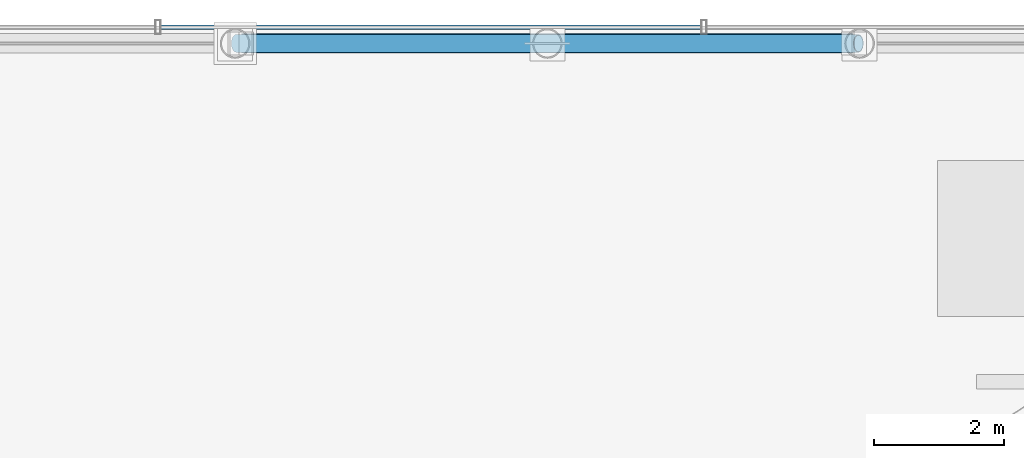
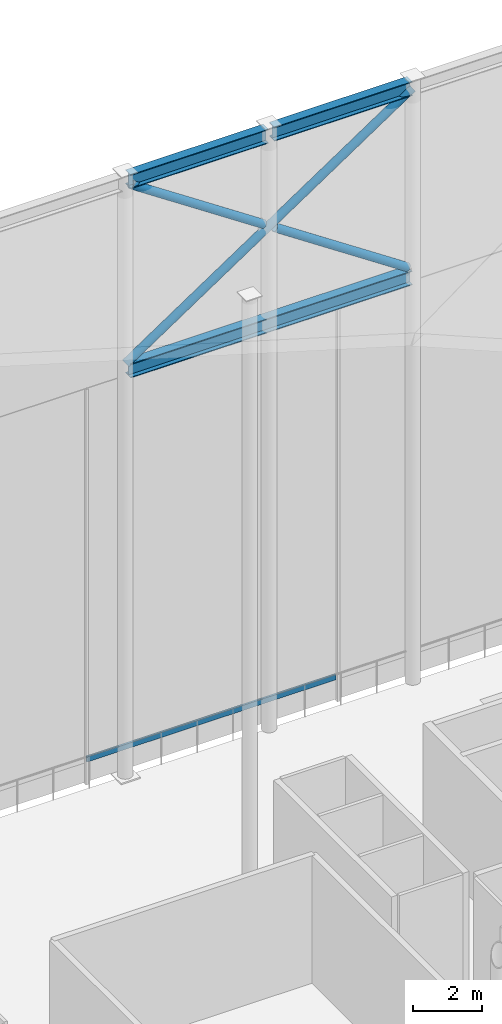
# One storey, part 31 of 42: 4 members, 3 beams, 1 element without a shape of its own.
"""IFC4 building model written with IfcOpenShell, lengths in metres."""

from ifc_helpers import new_model, si_unit, direction, frame, origin, origin_2d, place, context, subcontext, project, spatial, hollow_rectangle, hollow_circle, i_section, extrude, material, layer, layer_set, material_profile, profile_set, type_object, element, aggregate, save


model = new_model("IFC4")

# Units and contexts
model_context = context("Model", 3, precision=1e-05, world=origin(), true_north=direction((0.0, 1.0)))
body_context = subcontext(model_context, "Body", "Model", "MODEL_VIEW")
ifc_project = project(units=[si_unit("LENGTHUNIT", "METRE"), si_unit("AREAUNIT", "SQUARE_METRE"), si_unit("VOLUMEUNIT", "CUBIC_METRE"), si_unit("PLANEANGLEUNIT", "RADIAN"), si_unit("MASSUNIT", "GRAM", prefix="KILO")], contexts=[model_context])

# Site, building, storey
site_placement = place(None, origin())
site = spatial("IfcSite", under=ifc_project, at=site_placement, CompositionType="ELEMENT")
building_placement = place(site_placement, origin())
building = spatial("IfcBuilding", under=site, at=building_placement, Name="Kallvorn Hotel Tower", CompositionType="ELEMENT")
storey_placement = place(building_placement, frame((0.0, 0.0, 306.0)))
storey = spatial("IfcBuildingStorey", under=building, at=storey_placement, Name="ROOF", CompositionType="ELEMENT", Elevation=306.0)

# Beams
ifc_material_1 = material(Name="Structural steel S355JR", Category="steel")
ifc_material_profile_1 = material_profile(ifc_material_1, i_section(OverallWidth=0.300048828125, OverallDepth=0.5, WebThickness=0.014404296875, FlangeThickness=0.028076171875, at=origin_2d()), Name="HE 500 B")
ifc_profile_set_1 = profile_set([ifc_material_profile_1], Name="Structural steel S355JR")
beam_type = type_object("IfcBeamType", Name="BM_HE500B", PredefinedType="SPANDREL", material=ifc_profile_set_1)
for number, where, z_axis, x_axis, name in (
    (1, (4.89990234375, 14.39990234375, 21.030029296875), (1.0, 0.0, 0.0), (0.0, 1.0, 0.0), "CROWN FRAME Top Ring Beam 16"),
    (2, (9.699951171875, 14.39990234375, 21.030029296875), (1.0, 0.0, 0.0), (0.0, 1.0, 0.0), "CROWN FRAME Top Ring Beam 17"),
):
    element("IfcBeam", number, at=place(storey_placement, frame(where, z_axis=z_axis, x_axis=x_axis)), inside=storey, type_object=beam_type, Name=name, PredefinedType="SPANDREL", context=body_context, shape_type="SweptSolid", body=[
        extrude(i_section(OverallWidth=0.300048828125, OverallDepth=0.5, WebThickness=0.014404296875, FlangeThickness=0.028076171875, at=origin_2d()), origin(), (0.0, 0.0, 1.0), 4.60009765625),
    ])
beam_placement = place(storey_placement, frame((4.89990234375, 14.39990234375, 14.35009765625), z_axis=(1.0, 0.0, 0.0), x_axis=(0.0, 1.0, 0.0)))
element("IfcBeam", 3, at=beam_placement, inside=storey, type_object=beam_type, Name="CROWN FRAME Louvre Sill Tie Beam CN2", PredefinedType="SPANDREL", context=body_context, shape_type="SweptSolid", body=[
    extrude(i_section(OverallWidth=0.300048828125, OverallDepth=0.5, WebThickness=0.014404296875, FlangeThickness=0.028076171875, at=origin_2d()), origin(), (0.0, 0.0, 1.0), 9.400146484375),
])

# Curtain wall, member
ifc_material_2 = material(Name="Thermally broken black-anodised aluminium AA 6063-T6", Category="aluminium")
ifc_layer = layer(ifc_material_2, 0.18994140625)
ifc_layer_set = layer_set([ifc_layer], Name="CW_SYS_7_CROWN_DRUM")
curtain_wall_type = type_object("IfcCurtainWallType", Name="CW_SYS_7_CROWN_DRUM", PredefinedType="USERDEFINED", material=ifc_layer_set)
curtain_wall_placement = place(storey_placement, origin())
curtain_wall = element("IfcCurtainWall", 4, at=curtain_wall_placement, inside=storey, type_object=curtain_wall_type, Name="ROOF Dark-Glass Curtain Wall CW-ROOF-N2", ObjectType="UNITISED CURTAIN WALL", PredefinedType="USERDEFINED")
ifc_material_3 = material(Name="Thermally broken black-anodised aluminium AA 6063-T6", Category="aluminium")
ifc_material_profile_2 = material_profile(ifc_material_3, hollow_rectangle(XDim=0.070068359375, YDim=0.179931640625, WallThickness=0.00390625, at=origin_2d()), Name="TRN 180x70")
ifc_profile_set_2 = profile_set([ifc_material_profile_2], Name="Thermally broken black-anodised aluminium AA 6063-T6")
member_type_1 = type_object("IfcMemberType", Name="CW_TRANSOM_180x70", PredefinedType="USERDEFINED", material=ifc_profile_set_2)
member_1_placement = place(storey_placement, frame((3.6533203125, 14.64990234375, 0.85009765625), z_axis=(1.0, 0.0, 0.0), x_axis=(0.0, 1.0, 0.0)))
member_1 = element("IfcMember", 5, at=member_1_placement, type_object=member_type_1, Name="CW-ROOF-N2 Transom 01M", ObjectType="TRANSOM", PredefinedType="USERDEFINED", context=body_context, shape_type="SweptSolid", body=[
    extrude(hollow_rectangle(XDim=0.070068359375, YDim=0.179931640625, WallThickness=0.00390625, at=origin_2d()), origin(), (0.0, 0.0, 1.0), 8.3134765625),
])
aggregate(curtain_wall, [member_1])

# Members
ifc_material_4 = material(Name="Structural steel S355J2H", Category="steel")
ifc_material_profile_3 = material_profile(ifc_material_4, hollow_circle(Radius=0.136474609375, WallThickness=0.010009765625, at=origin_2d()), Name="CHS 273x10")
ifc_profile_set_3 = profile_set([ifc_material_profile_3], Name="Structural steel S355J2H")
member_type_2 = type_object("IfcMemberType", Name="MBR_CROWN_CHS273", PredefinedType="BRACE", material=ifc_profile_set_3)
member_2_placement = place(storey_placement, frame((4.816650390625, 14.39990234375, 14.56103515625), z_axis=(0.832043760824, 0.0, 0.55470999637), x_axis=(0.0, 1.0, 0.0)))
element("IfcMember", 6, at=member_2_placement, inside=storey, type_object=member_type_2, Name="CROWN FRAME Ring X-Brace Continuous Diagonal CN2", PredefinedType="BRACE", context=body_context, shape_type="SweptSolid", body=[
    extrude(hollow_circle(Radius=0.136474609375, WallThickness=0.010009765625, at=origin_2d()), origin(), (0.0, 0.0, 1.0), 11.497802734375),
])
member_3_placement = place(storey_placement, frame((4.983154296875, 14.39990234375, 20.827880859375), z_axis=(0.832057342826, 0.0, -0.554689623347), x_axis=(0.0, 1.0, 0.0)))
element("IfcMember", 7, at=member_3_placement, inside=storey, type_object=member_type_2, Name="CROWN FRAME Ring X-Brace Split Half-Diagonal CN2-1", PredefinedType="BRACE", context=body_context, shape_type="SweptSolid", body=[
    extrude(hollow_circle(Radius=0.136474609375, WallThickness=0.010009765625, at=origin_2d()), origin(), (0.0, 0.0, 1.0), 5.328857421875),
])
member_4_placement = place(storey_placement, frame((9.783203125, 14.39990234375, 17.6279296875), z_axis=(0.832043245446, 0.0, -0.554710769417), x_axis=(0.0, 1.0, 0.0)))
element("IfcMember", 8, at=member_4_placement, inside=storey, type_object=member_type_2, Name="CROWN FRAME Ring X-Brace Split Half-Diagonal CN2-2", PredefinedType="BRACE", context=body_context, shape_type="SweptSolid", body=[
    extrude(hollow_circle(Radius=0.136474609375, WallThickness=0.010009765625, at=origin_2d()), origin(), (0.0, 0.0, 1.0), 5.32861328125),
])

save(model, "model.ifc")
